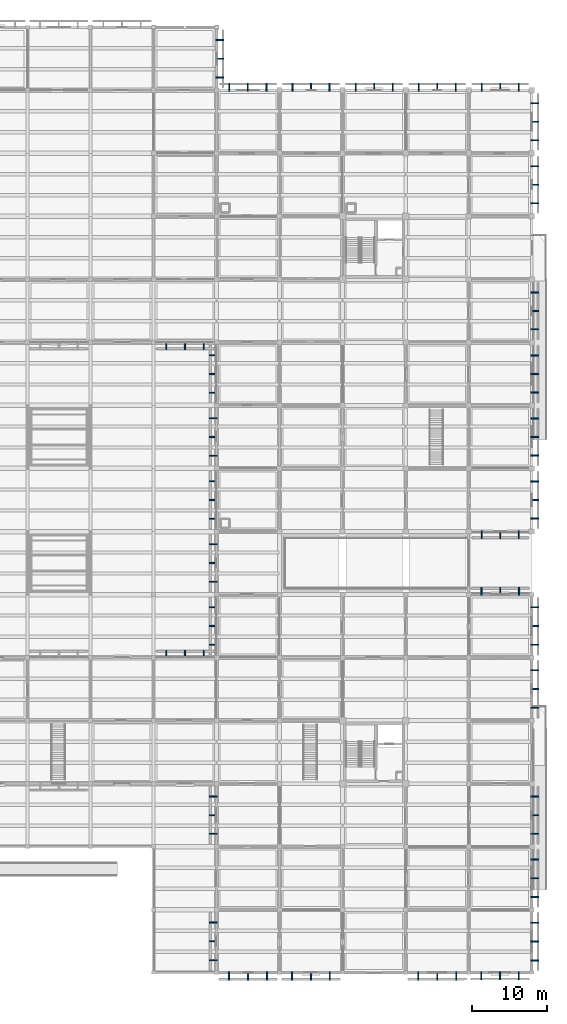
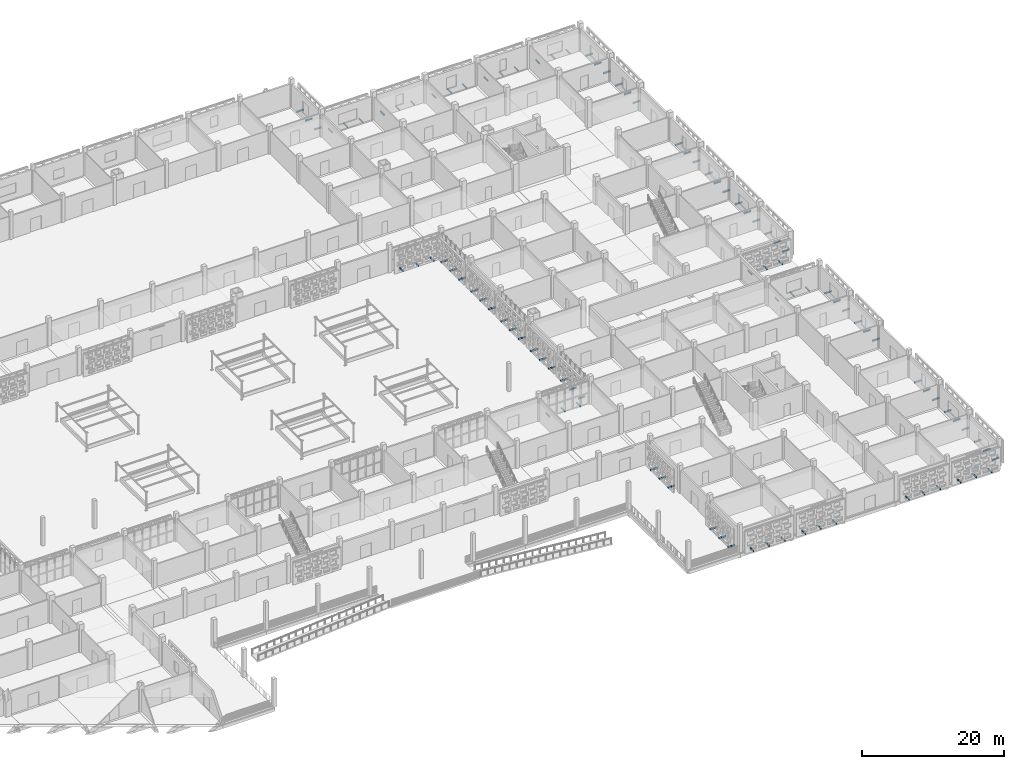
# One storey, part 79 of 129: 96 discrete accessories.
"""IFC4 building model written with IfcOpenShell, lengths in metres."""

import ifcopenshell
import ifcopenshell.guid

model = None  # the IFC model being written
_history = None  # IfcOwnerHistory: only IFC2X3 demands one
_inside = {}  # id of a spatial element -> (the spatial element, [elements in it])
_under = {}  # id of a project, library or spatial element -> (it, [spatial elements below it])
_declared = {}  # id of a project -> (the project, [libraries it declares])
_typed = {}  # id of a type object -> (the type object, [elements of that type])
_made_of = {}  # id of a material, layer set ... -> (it, [elements and type objects made of it])


def new_model(schema):
    """Start an empty IFC model of exactly this schema.

    Asked for "IFC4X3", IfcOpenShell would pick the latest addendum, in which some entities
    have other attributes; the version numbers below select the first issue.
    IFC2X3 requires an IfcOwnerHistory on every rooted entity: one is made here for all.
    """
    global model, _history
    if schema == "IFC4X3":
        model = ifcopenshell.file(schema_version=(4, 3, 0, 0))
    else:
        model = ifcopenshell.file(schema=schema)
    _inside.clear()
    _under.clear()
    _declared.clear()
    _typed.clear()
    _made_of.clear()
    _history = None
    if model.schema == "IFC2X3":
        org = make("IfcOrganization", Name="unknown")
        user = make(
            "IfcPersonAndOrganization",
            ThePerson=make("IfcPerson", FamilyName="unknown"),
            TheOrganization=org,
        )
        app = make(
            "IfcApplication",
            ApplicationDeveloper=org,
            Version="unknown",
            ApplicationFullName="unknown",
            ApplicationIdentifier="unknown",
        )
        _history = make(
            "IfcOwnerHistory",
            OwningUser=user,
            OwningApplication=app,
            ChangeAction="ADDED",
            CreationDate=0,
        )
    return model


def make(cls, **values):
    """One entity of the class cls with the attributes given. An attribute that is None is left unset."""
    return model.create_entity(
        cls, **{name: value for name, value in values.items() if value is not None}
    )


def rooted(cls, **values):
    """An entity with a GlobalId (a new one), such as an element, a storey or a relation."""
    return make(cls, GlobalId=ifcopenshell.guid.new(), OwnerHistory=_history, **values)


def si_unit(unit_type, name, prefix=None):
    """IfcSIUnit, for example si_unit("LENGTHUNIT", "METRE", prefix="MILLI")."""
    return make("IfcSIUnit", UnitType=unit_type, Prefix=prefix, Name=name)


def assignment(units):
    """IfcUnitAssignment: the units of a project."""
    return None if units is None else make("IfcUnitAssignment", Units=units)


def point(xyz):
    """IfcCartesianPoint."""
    return None if xyz is None else make("IfcCartesianPoint", Coordinates=xyz)


def direction(xyz):
    """IfcDirection."""
    return None if xyz is None else make("IfcDirection", DirectionRatios=xyz)


def frame(location, z_axis=None, x_axis=None):
    """IfcAxis2Placement3D, a coordinate frame: its origin and axes. An axis left out is left unset."""
    return make(
        "IfcAxis2Placement3D",
        Location=point(location),
        Axis=direction(z_axis),
        RefDirection=direction(x_axis),
    )


def frame_2d(location, x_axis=None):
    """IfcAxis2Placement2D, a coordinate frame in the plane: its origin and x axis."""
    return make(
        "IfcAxis2Placement2D", Location=point(location), RefDirection=direction(x_axis)
    )


def origin():
    """The frame at (0, 0, 0) with its axes left unset."""
    return frame((0.0, 0.0, 0.0))


def origin_2d():
    """The frame at (0, 0) in the plane with its x axis left unset."""
    return frame_2d((0.0, 0.0))


def place(relative_to, where):
    """IfcLocalPlacement: puts the frame where relative to a parent placement (None: the world)."""
    return make(
        "IfcLocalPlacement", PlacementRelTo=relative_to, RelativePlacement=where
    )


def context(
    kind, dimensions, precision=None, world=None, true_north=None, identifier=None
):
    """IfcGeometricRepresentationContext, for example the 3D "Model" context."""
    return make(
        "IfcGeometricRepresentationContext",
        ContextIdentifier=identifier,
        ContextType=kind,
        CoordinateSpaceDimension=dimensions,
        Precision=precision,
        WorldCoordinateSystem=world,
        TrueNorth=true_north,
    )


def subcontext(parent, identifier, kind, view, scale=None):
    """IfcGeometricRepresentationSubContext, for example "Body" below "Model"."""
    return make(
        "IfcGeometricRepresentationSubContext",
        ContextIdentifier=identifier,
        ContextType=kind,
        ParentContext=parent,
        TargetScale=scale,
        TargetView=view,
    )


def project(units=None, contexts=None):
    """IfcProject with its units and contexts."""
    return rooted(
        "IfcProject",
        Name="project",
        RepresentationContexts=contexts,
        UnitsInContext=assignment(units),
    )


def spatial(cls, under=None, at=None, **own):
    """A site, building, storey or space (cls), placed at a placement, below another one or the project."""
    s = rooted(cls, ObjectPlacement=at, **own)
    if under is not None:
        _under.setdefault(under.id(), (under, []))[1].append(s)
    return s


def profile(cls, at=None, kind="AREA", **sizes):
    """A parametric profile (cls). Its sizes go by their IFC names, for example OverallWidth=200.0."""
    return make(cls, ProfileType=kind, Position=at, **sizes)


def rectangle(**sizes):
    """IfcRectangleProfileDef."""
    return profile("IfcRectangleProfileDef", **sizes)


def extrude(swept, where, along, depth):
    """IfcExtrudedAreaSolid: the profile swept, set in the frame where, extruded along a direction by depth."""
    return make(
        "IfcExtrudedAreaSolid",
        SweptArea=swept,
        Position=where,
        ExtrudedDirection=direction(along),
        Depth=depth,
    )


def shape(context_of_items, identifier, shape_type, items):
    """IfcShapeRepresentation: the items that make up one representation, for example the "Body"."""
    return make(
        "IfcShapeRepresentation",
        ContextOfItems=context_of_items,
        RepresentationIdentifier=identifier,
        RepresentationType=shape_type,
        Items=items,
    )


def material(Name=None, Category=None):
    """IfcMaterial."""
    return make("IfcMaterial", Name=Name, Category=Category)


def made_of(thing, what):
    """Note that an element or type object is made of a material, layer set ...; save() writes the relation."""
    if what is not None:
        _made_of.setdefault(what.id(), (what, []))[1].append(thing)
    return thing


def type_object(cls, material=None, **own):
    """A type object (cls), such as IfcWallType, which elements share."""
    return made_of(rooted(cls, **own), material)


def element(
    cls,
    number,
    at=None,
    inside=None,
    cuts=None,
    type_object=None,
    material=None,
    context=None,
    identifier="Body",
    shape_type=None,
    held_by="IfcProductDefinitionShape",
    body=None,
    shapes=None,
    **own,
):
    """One element of the class cls, such as IfcWall. Its Tag is "e" and its number.

    at: its placement. inside: the storey or other place that contains it. cuts: it is an
    opening in that element (IfcRelVoidsElement). A single representation is given by context,
    identifier, shape_type and body (its items); several are given by shapes. held_by: the class
    of the entity that holds the representations. save() writes the other relations.
    """
    e = rooted(cls, Tag="e%d" % number, ObjectPlacement=at, **own)
    if body is not None:
        shapes = [shape(context, identifier, shape_type, body)]
    if shapes is not None:
        e.Representation = make(held_by, Representations=shapes)
    if inside is not None:
        _inside.setdefault(inside.id(), (inside, []))[1].append(e)
    if cuts is not None:
        rooted(
            "IfcRelVoidsElement", RelatingBuildingElement=cuts, RelatedOpeningElement=e
        )
    if type_object is not None:
        _typed.setdefault(type_object.id(), (type_object, []))[1].append(e)
    return made_of(e, material)


def aggregate(whole, parts):
    """IfcRelAggregates: a whole, such as a stair, and the parts it consists of."""
    return rooted("IfcRelAggregates", RelatingObject=whole, RelatedObjects=parts)


def save(model, path):
    """Write the relations noted so far, then the file.

    IfcRelAggregates (storeys below a building ...), IfcRelContainedInSpatialStructure (elements
    in a storey), IfcRelDefinesByType, IfcRelAssociatesMaterial and IfcRelDeclares: one each for
    every whole, place, type object, material and project.
    """
    for whole, parts in _under.values():
        aggregate(whole, parts)
    for where, things in _inside.values():
        rooted(
            "IfcRelContainedInSpatialStructure",
            RelatedElements=things,
            RelatingStructure=where,
        )
    for kind, things in _typed.values():
        rooted("IfcRelDefinesByType", RelatedObjects=things, RelatingType=kind)
    for what, things in _made_of.values():
        rooted("IfcRelAssociatesMaterial", RelatedObjects=things, RelatingMaterial=what)
    for by, libraries in _declared.values():
        rooted("IfcRelDeclares", RelatingContext=by, RelatedDefinitions=libraries)
    model.write(path)


model = new_model("IFC4")

# Units and contexts
model_context = context("Model", 3, precision=1e-05, world=origin(), true_north=direction((0.0, 1.0)))
body_context = subcontext(model_context, "Body", "Model", "MODEL_VIEW")
ifc_project = project(units=[si_unit("LENGTHUNIT", "METRE"), si_unit("AREAUNIT", "SQUARE_METRE"), si_unit("VOLUMEUNIT", "CUBIC_METRE"), si_unit("PLANEANGLEUNIT", "RADIAN"), si_unit("MASSUNIT", "GRAM", prefix="KILO")], contexts=[model_context])

# Site, building, storey
site_placement = place(None, origin())
site = spatial("IfcSite", under=ifc_project, at=site_placement, CompositionType="ELEMENT")
building_placement = place(site_placement, origin())
building = spatial("IfcBuilding", under=site, at=building_placement, Name="Varnapada Polytechnic", CompositionType="ELEMENT")
storey_placement = place(building_placement, origin())
storey = spatial("IfcBuildingStorey", under=building, at=storey_placement, Name="L00", CompositionType="ELEMENT", Elevation=0.0)

# Discrete accessories
ifc_material = material(Name="Steel S355", Category="steel")
discrete_accessory_type = type_object("IfcDiscreteAccessoryType", Name="Screen Outrigger Bracket BRK-01", PredefinedType="BRACKET", material=ifc_material)
for number, where, z_axis, x_axis, name in (
    (1, (127.7041015625, 42.425048828125, -0.0498046875), (0.0, 0.0, 1.0), (1.0, 0.0, 0.0), "L00 terracotta screen outrigger bracket 77.1"),
    (2, (130.199951171875, 42.425048828125, -0.0498046875), (0.0, 0.0, 1.0), (1.0, 0.0, 0.0), "L00 terracotta screen outrigger bracket 77.2"),
    (3, (132.696044921875, 42.425048828125, -0.0498046875), (0.0, 0.0, 1.0), (1.0, 0.0, 0.0), "L00 terracotta screen outrigger bracket 77.3"),
    (4, (132.696044921875, 83.574951171875, -0.0498046875), (0.0, 0.0, 1.0), (-1.0, 0.0, 0.0), "L00 terracotta screen outrigger bracket 78.1"),
    (5, (130.199951171875, 83.574951171875, -0.0498046875), (0.0, 0.0, 1.0), (-1.0, 0.0, 0.0), "L00 terracotta screen outrigger bracket 78.2"),
    (6, (127.7041015625, 83.574951171875, -0.0498046875), (0.0, 0.0, 1.0), (-1.0, 0.0, 0.0), "L00 terracotta screen outrigger bracket 78.3"),
    (7, (134.824951171875, 124.2958984375, -0.0498046875), (0.0, 0.0, 1.0), (0.0, -1.0, 0.0), "L00 terracotta screen outrigger bracket 80.1"),
    (8, (134.824951171875, 121.800048828125, -0.0498046875), (0.0, 0.0, 1.0), (0.0, -1.0, 0.0), "L00 terracotta screen outrigger bracket 80.2"),
    (9, (134.824951171875, 119.303955078125, -0.0498046875), (0.0, 0.0, 1.0), (0.0, -1.0, 0.0), "L00 terracotta screen outrigger bracket 80.3"),
    (10, (141.1279296875, -0.425048828125, -0.0498046875), (0.0, 0.0, 1.0), (-1.0, 0.0, 0.0), "L00 terracotta screen outrigger bracket 81.1"),
    (11, (138.60009765625, -0.425048828125, -0.0498046875), (0.0, 0.0, 1.0), (-1.0, 0.0, 0.0), "L00 terracotta screen outrigger bracket 81.2"),
    (12, (136.072021484375, -0.425048828125, -0.0498046875), (0.0, 0.0, 1.0), (-1.0, 0.0, 0.0), "L00 terracotta screen outrigger bracket 81.3"),
    (13, (133.97509765625, 1.6630859375, -0.0498046875), (0.0, 0.0, 1.0), (0.0, 1.0, 0.0), "L00 terracotta screen outrigger bracket 82.1"),
    (14, (133.97509765625, 4.175048828125, -0.0498046875), (0.0, 0.0, 1.0), (0.0, 1.0, 0.0), "L00 terracotta screen outrigger bracket 82.2"),
    (15, (133.97509765625, 6.68701171875, -0.0498046875), (0.0, 0.0, 1.0), (0.0, 1.0, 0.0), "L00 terracotta screen outrigger bracket 82.3"),
    (16, (133.97509765625, 18.50390625, -0.0498046875), (0.0, 0.0, 1.0), (0.0, 1.0, 0.0), "L00 terracotta screen outrigger bracket 84.1"),
    (17, (133.97509765625, 21.0, -0.0498046875), (0.0, 0.0, 1.0), (0.0, 1.0, 0.0), "L00 terracotta screen outrigger bracket 84.2"),
    (18, (133.97509765625, 23.49609375, -0.0498046875), (0.0, 0.0, 1.0), (0.0, 1.0, 0.0), "L00 terracotta screen outrigger bracket 84.3"),
    (19, (133.97509765625, 43.7041015625, -0.0498046875), (0.0, 0.0, 1.0), (0.0, 1.0, 0.0), "L00 terracotta screen outrigger bracket 85.1"),
    (20, (133.97509765625, 46.199951171875, -0.0498046875), (0.0, 0.0, 1.0), (0.0, 1.0, 0.0), "L00 terracotta screen outrigger bracket 85.2"),
    (21, (133.97509765625, 48.696044921875, -0.0498046875), (0.0, 0.0, 1.0), (0.0, 1.0, 0.0), "L00 terracotta screen outrigger bracket 85.3"),
    (22, (133.97509765625, 52.10400390625, -0.0498046875), (0.0, 0.0, 1.0), (0.0, 1.0, 0.0), "L00 terracotta screen outrigger bracket 86.1"),
    (23, (133.97509765625, 54.60009765625, -0.0498046875), (0.0, 0.0, 1.0), (0.0, 1.0, 0.0), "L00 terracotta screen outrigger bracket 86.2"),
    (24, (133.97509765625, 57.095947265625, -0.0498046875), (0.0, 0.0, 1.0), (0.0, 1.0, 0.0), "L00 terracotta screen outrigger bracket 86.3"),
    (25, (133.97509765625, 60.50390625, -0.0498046875), (0.0, 0.0, 1.0), (0.0, 1.0, 0.0), "L00 terracotta screen outrigger bracket 87.1"),
    (26, (133.97509765625, 63.0, -0.0498046875), (0.0, 0.0, 1.0), (0.0, 1.0, 0.0), "L00 terracotta screen outrigger bracket 87.2"),
    (27, (133.97509765625, 65.49609375, -0.0498046875), (0.0, 0.0, 1.0), (0.0, 1.0, 0.0), "L00 terracotta screen outrigger bracket 87.3"),
    (28, (133.97509765625, 68.904052734375, -0.0498046875), (0.0, 0.0, 1.0), (0.0, 1.0, 0.0), "L00 terracotta screen outrigger bracket 88.1"),
    (29, (133.97509765625, 71.39990234375, -0.0498046875), (0.0, 0.0, 1.0), (0.0, 1.0, 0.0), "L00 terracotta screen outrigger bracket 88.2"),
    (30, (133.97509765625, 73.89599609375, -0.0498046875), (0.0, 0.0, 1.0), (0.0, 1.0, 0.0), "L00 terracotta screen outrigger bracket 88.3"),
    (31, (133.97509765625, 77.303955078125, -0.0498046875), (0.0, 0.0, 1.0), (0.0, 1.0, 0.0), "L00 terracotta screen outrigger bracket 89.1"),
    (32, (133.97509765625, 79.800048828125, -0.0498046875), (0.0, 0.0, 1.0), (0.0, 1.0, 0.0), "L00 terracotta screen outrigger bracket 89.2"),
    (33, (133.97509765625, 82.2958984375, -0.0498046875), (0.0, 0.0, 1.0), (0.0, 1.0, 0.0), "L00 terracotta screen outrigger bracket 89.3"),
    (34, (136.094970703125, 118.02490234375, -0.0498046875), (0.0, 0.0, 1.0), (1.0, 0.0, 0.0), "L00 terracotta screen outrigger bracket 90.1"),
    (35, (138.574951171875, 118.02490234375, -0.0498046875), (0.0, 0.0, 1.0), (1.0, 0.0, 0.0), "L00 terracotta screen outrigger bracket 90.2"),
    (36, (141.054931640625, 118.02490234375, -0.0498046875), (0.0, 0.0, 1.0), (1.0, 0.0, 0.0), "L00 terracotta screen outrigger bracket 90.3"),
    (37, (149.487060546875, -0.425048828125, -0.0498046875), (0.0, 0.0, 1.0), (-1.0, 0.0, 0.0), "L00 terracotta screen outrigger bracket 91.1"),
    (38, (146.97509765625, -0.425048828125, -0.0498046875), (0.0, 0.0, 1.0), (-1.0, 0.0, 0.0), "L00 terracotta screen outrigger bracket 91.2"),
    (39, (144.462890625, -0.425048828125, -0.0498046875), (0.0, 0.0, 1.0), (-1.0, 0.0, 0.0), "L00 terracotta screen outrigger bracket 91.3"),
    (40, (144.535888671875, 118.02490234375, -0.0498046875), (0.0, 0.0, 1.0), (1.0, 0.0, 0.0), "L00 terracotta screen outrigger bracket 92.1"),
    (41, (147.0, 118.02490234375, -0.0498046875), (0.0, 0.0, 1.0), (1.0, 0.0, 0.0), "L00 terracotta screen outrigger bracket 92.2"),
    (42, (149.464111328125, 118.02490234375, -0.0498046875), (0.0, 0.0, 1.0), (1.0, 0.0, 0.0), "L00 terracotta screen outrigger bracket 92.3"),
    (43, (152.93603515625, 118.02490234375, -0.0498046875), (0.0, 0.0, 1.0), (1.0, 0.0, 0.0), "L00 terracotta screen outrigger bracket 94.1"),
    (44, (155.39990234375, 118.02490234375, -0.0498046875), (0.0, 0.0, 1.0), (1.0, 0.0, 0.0), "L00 terracotta screen outrigger bracket 94.2"),
    (45, (157.864013671875, 118.02490234375, -0.0498046875), (0.0, 0.0, 1.0), (1.0, 0.0, 0.0), "L00 terracotta screen outrigger bracket 94.3"),
    (46, (166.327880859375, -0.425048828125, -0.0498046875), (0.0, 0.0, 1.0), (-1.0, 0.0, 0.0), "L00 terracotta screen outrigger bracket 95.1"),
    (47, (163.800048828125, -0.425048828125, -0.0498046875), (0.0, 0.0, 1.0), (-1.0, 0.0, 0.0), "L00 terracotta screen outrigger bracket 95.2"),
    (48, (161.27197265625, -0.425048828125, -0.0498046875), (0.0, 0.0, 1.0), (-1.0, 0.0, 0.0), "L00 terracotta screen outrigger bracket 95.3"),
    (49, (161.3359375, 118.02490234375, -0.0498046875), (0.0, 0.0, 1.0), (1.0, 0.0, 0.0), "L00 terracotta screen outrigger bracket 96.1"),
    (50, (163.800048828125, 118.02490234375, -0.0498046875), (0.0, 0.0, 1.0), (1.0, 0.0, 0.0), "L00 terracotta screen outrigger bracket 96.2"),
    (51, (166.263916015625, 118.02490234375, -0.0498046875), (0.0, 0.0, 1.0), (1.0, 0.0, 0.0), "L00 terracotta screen outrigger bracket 96.3"),
    (52, (174.68701171875, -0.425048828125, -0.0498046875), (0.0, 0.0, 1.0), (-1.0, 0.0, 0.0), "L00 terracotta screen outrigger bracket 97.1"),
    (53, (172.175048828125, -0.425048828125, -0.0498046875), (0.0, 0.0, 1.0), (-1.0, 0.0, 0.0), "L00 terracotta screen outrigger bracket 97.2"),
    (54, (169.6630859375, -0.425048828125, -0.0498046875), (0.0, 0.0, 1.0), (-1.0, 0.0, 0.0), "L00 terracotta screen outrigger bracket 97.3"),
    (55, (176.824951171875, 6.677978515625, -0.0498046875), (0.0, 0.0, 1.0), (0.0, -1.0, 0.0), "L00 terracotta screen outrigger bracket 98.1"),
    (56, (176.824951171875, 4.14990234375, -0.0498046875), (0.0, 0.0, 1.0), (0.0, -1.0, 0.0), "L00 terracotta screen outrigger bracket 98.2"),
    (57, (176.824951171875, 1.6220703125, -0.0498046875), (0.0, 0.0, 1.0), (0.0, -1.0, 0.0), "L00 terracotta screen outrigger bracket 98.3"),
    (58, (176.824951171875, 15.095947265625, -0.0498046875), (0.0, 0.0, 1.0), (0.0, -1.0, 0.0), "L00 terracotta screen outrigger bracket 99.1"),
    (59, (176.824951171875, 12.60009765625, -0.0498046875), (0.0, 0.0, 1.0), (0.0, -1.0, 0.0), "L00 terracotta screen outrigger bracket 99.2"),
    (60, (176.824951171875, 10.10400390625, -0.0498046875), (0.0, 0.0, 1.0), (0.0, -1.0, 0.0), "L00 terracotta screen outrigger bracket 99.3"),
    (61, (176.824951171875, 23.49609375, -0.0498046875), (0.0, 0.0, 1.0), (0.0, -1.0, 0.0), "L00 terracotta screen outrigger bracket 100.1"),
    (62, (176.824951171875, 21.0, -0.0498046875), (0.0, 0.0, 1.0), (0.0, -1.0, 0.0), "L00 terracotta screen outrigger bracket 100.2"),
    (63, (176.824951171875, 18.50390625, -0.0498046875), (0.0, 0.0, 1.0), (0.0, -1.0, 0.0), "L00 terracotta screen outrigger bracket 100.3"),
    (64, (176.824951171875, 40.2958984375, -0.0498046875), (0.0, 0.0, 1.0), (0.0, -1.0, 0.0), "L00 terracotta screen outrigger bracket 102.1"),
    (65, (176.824951171875, 37.800048828125, -0.0498046875), (0.0, 0.0, 1.0), (0.0, -1.0, 0.0), "L00 terracotta screen outrigger bracket 102.2"),
    (66, (176.824951171875, 35.303955078125, -0.0498046875), (0.0, 0.0, 1.0), (0.0, -1.0, 0.0), "L00 terracotta screen outrigger bracket 102.3"),
    (67, (169.7041015625, 50.824951171875, -0.0498046875), (0.0, 0.0, 1.0), (1.0, 0.0, 0.0), "L00 terracotta screen outrigger bracket 103.1"),
    (68, (172.199951171875, 50.824951171875, -0.0498046875), (0.0, 0.0, 1.0), (1.0, 0.0, 0.0), "L00 terracotta screen outrigger bracket 103.2"),
    (69, (174.696044921875, 50.824951171875, -0.0498046875), (0.0, 0.0, 1.0), (1.0, 0.0, 0.0), "L00 terracotta screen outrigger bracket 103.3"),
    (70, (176.824951171875, 48.696044921875, -0.0498046875), (0.0, 0.0, 1.0), (0.0, -1.0, 0.0), "L00 terracotta screen outrigger bracket 104.1"),
    (71, (176.824951171875, 46.199951171875, -0.0498046875), (0.0, 0.0, 1.0), (0.0, -1.0, 0.0), "L00 terracotta screen outrigger bracket 104.2"),
    (72, (176.824951171875, 43.7041015625, -0.0498046875), (0.0, 0.0, 1.0), (0.0, -1.0, 0.0), "L00 terracotta screen outrigger bracket 104.3"),
    (73, (174.6640625, 58.375, -0.0498046875), (0.0, 0.0, 1.0), (-1.0, 0.0, 0.0), "L00 terracotta screen outrigger bracket 105.1"),
    (74, (172.199951171875, 58.375, -0.0498046875), (0.0, 0.0, 1.0), (-1.0, 0.0, 0.0), "L00 terracotta screen outrigger bracket 105.2"),
    (75, (169.736083984375, 58.375, -0.0498046875), (0.0, 0.0, 1.0), (-1.0, 0.0, 0.0), "L00 terracotta screen outrigger bracket 105.3"),
    (76, (176.824951171875, 65.464111328125, -0.0498046875), (0.0, 0.0, 1.0), (0.0, -1.0, 0.0), "L00 terracotta screen outrigger bracket 106.1"),
    (77, (176.824951171875, 63.0, -0.0498046875), (0.0, 0.0, 1.0), (0.0, -1.0, 0.0), "L00 terracotta screen outrigger bracket 106.2"),
    (78, (176.824951171875, 60.535888671875, -0.0498046875), (0.0, 0.0, 1.0), (0.0, -1.0, 0.0), "L00 terracotta screen outrigger bracket 106.3"),
    (79, (176.824951171875, 73.864013671875, -0.0498046875), (0.0, 0.0, 1.0), (0.0, -1.0, 0.0), "L00 terracotta screen outrigger bracket 107.1"),
    (80, (176.824951171875, 71.39990234375, -0.0498046875), (0.0, 0.0, 1.0), (0.0, -1.0, 0.0), "L00 terracotta screen outrigger bracket 107.2"),
    (81, (176.824951171875, 68.93603515625, -0.0498046875), (0.0, 0.0, 1.0), (0.0, -1.0, 0.0), "L00 terracotta screen outrigger bracket 107.3"),
    (82, (176.824951171875, 82.263916015625, -0.0498046875), (0.0, 0.0, 1.0), (0.0, -1.0, 0.0), "L00 terracotta screen outrigger bracket 108.1"),
    (83, (176.824951171875, 79.800048828125, -0.0498046875), (0.0, 0.0, 1.0), (0.0, -1.0, 0.0), "L00 terracotta screen outrigger bracket 108.2"),
    (84, (176.824951171875, 77.3359375, -0.0498046875), (0.0, 0.0, 1.0), (0.0, -1.0, 0.0), "L00 terracotta screen outrigger bracket 108.3"),
    (85, (176.824951171875, 90.6640625, -0.0498046875), (0.0, 0.0, 1.0), (0.0, -1.0, 0.0), "L00 terracotta screen outrigger bracket 109.1"),
    (86, (176.824951171875, 88.199951171875, -0.0498046875), (0.0, 0.0, 1.0), (0.0, -1.0, 0.0), "L00 terracotta screen outrigger bracket 109.2"),
    (87, (176.824951171875, 85.736083984375, -0.0498046875), (0.0, 0.0, 1.0), (0.0, -1.0, 0.0), "L00 terracotta screen outrigger bracket 109.3"),
    (88, (176.824951171875, 107.464111328125, -0.0498046875), (0.0, 0.0, 1.0), (0.0, -1.0, 0.0), "L00 terracotta screen outrigger bracket 111.1"),
    (89, (176.824951171875, 105.0, -0.0498046875), (0.0, 0.0, 1.0), (0.0, -1.0, 0.0), "L00 terracotta screen outrigger bracket 111.2"),
    (90, (176.824951171875, 102.535888671875, -0.0498046875), (0.0, 0.0, 1.0), (0.0, -1.0, 0.0), "L00 terracotta screen outrigger bracket 111.3"),
    (91, (169.736083984375, 118.02490234375, -0.0498046875), (0.0, 0.0, 1.0), (1.0, 0.0, 0.0), "L00 terracotta screen outrigger bracket 112.1"),
    (92, (172.199951171875, 118.02490234375, -0.0498046875), (0.0, 0.0, 1.0), (1.0, 0.0, 0.0), "L00 terracotta screen outrigger bracket 112.2"),
    (93, (174.6640625, 118.02490234375, -0.0498046875), (0.0, 0.0, 1.0), (1.0, 0.0, 0.0), "L00 terracotta screen outrigger bracket 112.3"),
    (94, (176.824951171875, 115.864013671875, -0.0498046875), (0.0, 0.0, 1.0), (0.0, -1.0, 0.0), "L00 terracotta screen outrigger bracket 113.1"),
    (95, (176.824951171875, 113.39990234375, -0.0498046875), (0.0, 0.0, 1.0), (0.0, -1.0, 0.0), "L00 terracotta screen outrigger bracket 113.2"),
    (96, (176.824951171875, 110.93603515625, -0.0498046875), (0.0, 0.0, 1.0), (0.0, -1.0, 0.0), "L00 terracotta screen outrigger bracket 113.3"),
):
    element("IfcDiscreteAccessory", number, at=place(storey_placement, frame(where, z_axis=z_axis, x_axis=x_axis)), inside=storey, type_object=discrete_accessory_type, Name=name, PredefinedType="BRACKET", context=body_context, shape_type="SweptSolid", body=[
        extrude(rectangle(XDim=0.159912109375, YDim=1.090087890625, at=origin_2d()), origin(), (0.0, 0.0, 1.0), 0.219970703125),
    ])

save(model, "model.ifc")
